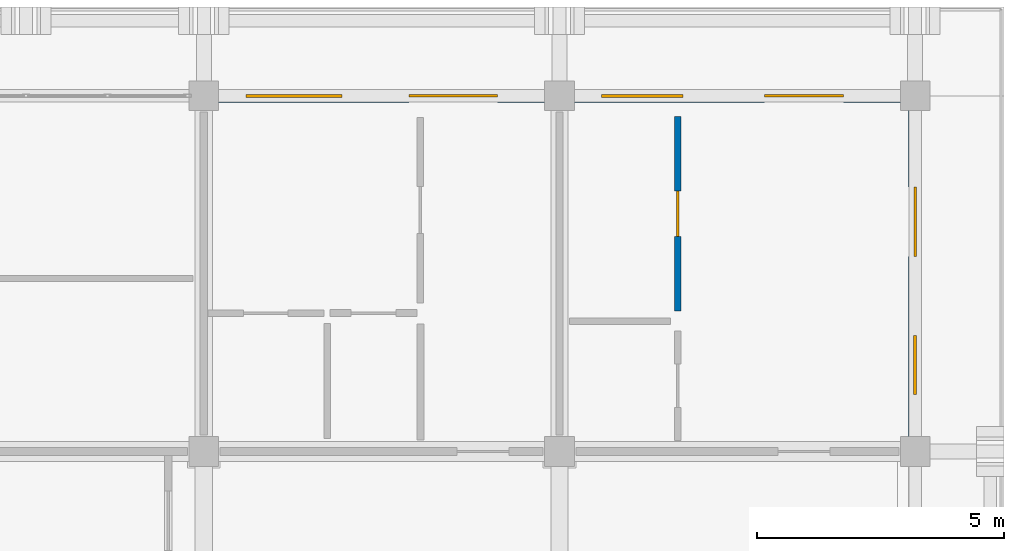
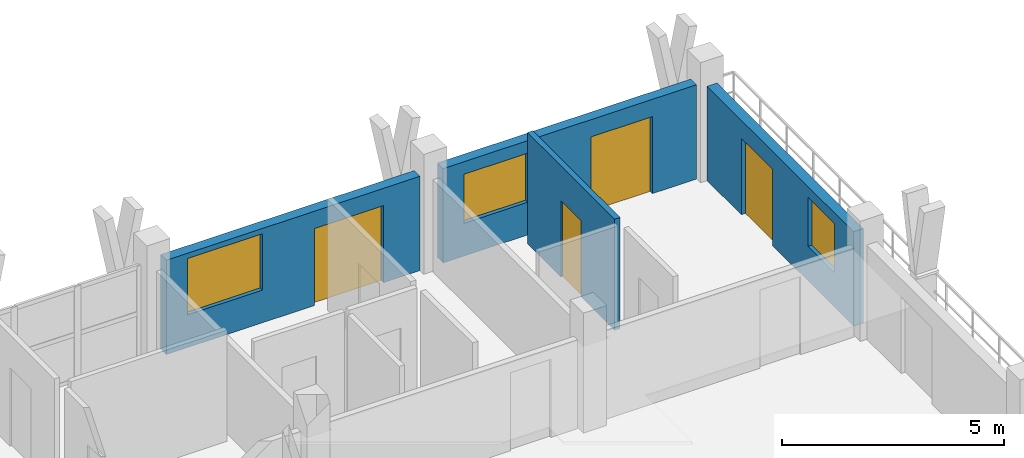
# One storey, part 58 of 75: 4 doors, 4 walls, 3 windows, 7 openings.
"""IFC4 building model written with IfcOpenShell, lengths in metres."""

import ifcopenshell
import ifcopenshell.guid

model = None  # the IFC model being written
_history = None  # IfcOwnerHistory: only IFC2X3 demands one
_inside = {}  # id of a spatial element -> (the spatial element, [elements in it])
_under = {}  # id of a project, library or spatial element -> (it, [spatial elements below it])
_declared = {}  # id of a project -> (the project, [libraries it declares])
_typed = {}  # id of a type object -> (the type object, [elements of that type])
_made_of = {}  # id of a material, layer set ... -> (it, [elements and type objects made of it])


def new_model(schema):
    """Start an empty IFC model of exactly this schema.

    Asked for "IFC4X3", IfcOpenShell would pick the latest addendum, in which some entities
    have other attributes; the version numbers below select the first issue.
    IFC2X3 requires an IfcOwnerHistory on every rooted entity: one is made here for all.
    """
    global model, _history
    if schema == "IFC4X3":
        model = ifcopenshell.file(schema_version=(4, 3, 0, 0))
    else:
        model = ifcopenshell.file(schema=schema)
    _inside.clear()
    _under.clear()
    _declared.clear()
    _typed.clear()
    _made_of.clear()
    _history = None
    if model.schema == "IFC2X3":
        org = make("IfcOrganization", Name="unknown")
        user = make(
            "IfcPersonAndOrganization",
            ThePerson=make("IfcPerson", FamilyName="unknown"),
            TheOrganization=org,
        )
        app = make(
            "IfcApplication",
            ApplicationDeveloper=org,
            Version="unknown",
            ApplicationFullName="unknown",
            ApplicationIdentifier="unknown",
        )
        _history = make(
            "IfcOwnerHistory",
            OwningUser=user,
            OwningApplication=app,
            ChangeAction="ADDED",
            CreationDate=0,
        )
    return model


def make(cls, **values):
    """One entity of the class cls with the attributes given. An attribute that is None is left unset."""
    return model.create_entity(
        cls, **{name: value for name, value in values.items() if value is not None}
    )


def rooted(cls, **values):
    """An entity with a GlobalId (a new one), such as an element, a storey or a relation."""
    return make(cls, GlobalId=ifcopenshell.guid.new(), OwnerHistory=_history, **values)


def si_unit(unit_type, name, prefix=None):
    """IfcSIUnit, for example si_unit("LENGTHUNIT", "METRE", prefix="MILLI")."""
    return make("IfcSIUnit", UnitType=unit_type, Prefix=prefix, Name=name)


def assignment(units):
    """IfcUnitAssignment: the units of a project."""
    return None if units is None else make("IfcUnitAssignment", Units=units)


def point(xyz):
    """IfcCartesianPoint."""
    return None if xyz is None else make("IfcCartesianPoint", Coordinates=xyz)


def direction(xyz):
    """IfcDirection."""
    return None if xyz is None else make("IfcDirection", DirectionRatios=xyz)


def frame(location, z_axis=None, x_axis=None):
    """IfcAxis2Placement3D, a coordinate frame: its origin and axes. An axis left out is left unset."""
    return make(
        "IfcAxis2Placement3D",
        Location=point(location),
        Axis=direction(z_axis),
        RefDirection=direction(x_axis),
    )


def frame_2d(location, x_axis=None):
    """IfcAxis2Placement2D, a coordinate frame in the plane: its origin and x axis."""
    return make(
        "IfcAxis2Placement2D", Location=point(location), RefDirection=direction(x_axis)
    )


def origin():
    """The frame at (0, 0, 0) with its axes left unset."""
    return frame((0.0, 0.0, 0.0))


def place(relative_to, where):
    """IfcLocalPlacement: puts the frame where relative to a parent placement (None: the world)."""
    return make(
        "IfcLocalPlacement", PlacementRelTo=relative_to, RelativePlacement=where
    )


def context(
    kind, dimensions, precision=None, world=None, true_north=None, identifier=None
):
    """IfcGeometricRepresentationContext, for example the 3D "Model" context."""
    return make(
        "IfcGeometricRepresentationContext",
        ContextIdentifier=identifier,
        ContextType=kind,
        CoordinateSpaceDimension=dimensions,
        Precision=precision,
        WorldCoordinateSystem=world,
        TrueNorth=true_north,
    )


def subcontext(parent, identifier, kind, view, scale=None):
    """IfcGeometricRepresentationSubContext, for example "Body" below "Model"."""
    return make(
        "IfcGeometricRepresentationSubContext",
        ContextIdentifier=identifier,
        ContextType=kind,
        ParentContext=parent,
        TargetScale=scale,
        TargetView=view,
    )


def project(units=None, contexts=None):
    """IfcProject with its units and contexts."""
    return rooted(
        "IfcProject",
        Name="project",
        RepresentationContexts=contexts,
        UnitsInContext=assignment(units),
    )


def spatial(cls, under=None, at=None, **own):
    """A site, building, storey or space (cls), placed at a placement, below another one or the project."""
    s = rooted(cls, ObjectPlacement=at, **own)
    if under is not None:
        _under.setdefault(under.id(), (under, []))[1].append(s)
    return s


def profile(cls, at=None, kind="AREA", **sizes):
    """A parametric profile (cls). Its sizes go by their IFC names, for example OverallWidth=200.0."""
    return make(cls, ProfileType=kind, Position=at, **sizes)


def rectangle(**sizes):
    """IfcRectangleProfileDef."""
    return profile("IfcRectangleProfileDef", **sizes)


def extrude(swept, where, along, depth):
    """IfcExtrudedAreaSolid: the profile swept, set in the frame where, extruded along a direction by depth."""
    return make(
        "IfcExtrudedAreaSolid",
        SweptArea=swept,
        Position=where,
        ExtrudedDirection=direction(along),
        Depth=depth,
    )


def shape(context_of_items, identifier, shape_type, items):
    """IfcShapeRepresentation: the items that make up one representation, for example the "Body"."""
    return make(
        "IfcShapeRepresentation",
        ContextOfItems=context_of_items,
        RepresentationIdentifier=identifier,
        RepresentationType=shape_type,
        Items=items,
    )


def material(Name=None, Category=None):
    """IfcMaterial."""
    return make("IfcMaterial", Name=Name, Category=Category)


def layer(
    of_material, thickness, ventilated=None, Name=None, Category=None, Priority=None
):
    """IfcMaterialLayer: one layer of a wall or slab, of a material (None: an air gap)."""
    return make(
        "IfcMaterialLayer",
        Material=of_material,
        LayerThickness=thickness,
        IsVentilated=ventilated,
        Name=Name,
        Category=Category,
        Priority=Priority,
    )


def layer_set(layers, Name=None):
    """IfcMaterialLayerSet."""
    return make("IfcMaterialLayerSet", MaterialLayers=layers, LayerSetName=Name)


def made_of(thing, what):
    """Note that an element or type object is made of a material, layer set ...; save() writes the relation."""
    if what is not None:
        _made_of.setdefault(what.id(), (what, []))[1].append(thing)
    return thing


def type_object(cls, material=None, **own):
    """A type object (cls), such as IfcWallType, which elements share."""
    return made_of(rooted(cls, **own), material)


def element(
    cls,
    number,
    at=None,
    inside=None,
    cuts=None,
    type_object=None,
    material=None,
    context=None,
    identifier="Body",
    shape_type=None,
    held_by="IfcProductDefinitionShape",
    body=None,
    shapes=None,
    **own,
):
    """One element of the class cls, such as IfcWall. Its Tag is "e" and its number.

    at: its placement. inside: the storey or other place that contains it. cuts: it is an
    opening in that element (IfcRelVoidsElement). A single representation is given by context,
    identifier, shape_type and body (its items); several are given by shapes. held_by: the class
    of the entity that holds the representations. save() writes the other relations.
    """
    e = rooted(cls, Tag="e%d" % number, ObjectPlacement=at, **own)
    if body is not None:
        shapes = [shape(context, identifier, shape_type, body)]
    if shapes is not None:
        e.Representation = make(held_by, Representations=shapes)
    if inside is not None:
        _inside.setdefault(inside.id(), (inside, []))[1].append(e)
    if cuts is not None:
        rooted(
            "IfcRelVoidsElement", RelatingBuildingElement=cuts, RelatedOpeningElement=e
        )
    if type_object is not None:
        _typed.setdefault(type_object.id(), (type_object, []))[1].append(e)
    return made_of(e, material)


def fill(opening, filler):
    """IfcRelFillsElement: the door or window that sits in an opening."""
    return rooted(
        "IfcRelFillsElement",
        RelatingOpeningElement=opening,
        RelatedBuildingElement=filler,
    )


def aggregate(whole, parts):
    """IfcRelAggregates: a whole, such as a stair, and the parts it consists of."""
    return rooted("IfcRelAggregates", RelatingObject=whole, RelatedObjects=parts)


def save(model, path):
    """Write the relations noted so far, then the file.

    IfcRelAggregates (storeys below a building ...), IfcRelContainedInSpatialStructure (elements
    in a storey), IfcRelDefinesByType, IfcRelAssociatesMaterial and IfcRelDeclares: one each for
    every whole, place, type object, material and project.
    """
    for whole, parts in _under.values():
        aggregate(whole, parts)
    for where, things in _inside.values():
        rooted(
            "IfcRelContainedInSpatialStructure",
            RelatedElements=things,
            RelatingStructure=where,
        )
    for kind, things in _typed.values():
        rooted("IfcRelDefinesByType", RelatedObjects=things, RelatingType=kind)
    for what, things in _made_of.values():
        rooted("IfcRelAssociatesMaterial", RelatedObjects=things, RelatingMaterial=what)
    for by, libraries in _declared.values():
        rooted("IfcRelDeclares", RelatingContext=by, RelatedDefinitions=libraries)
    model.write(path)


model = new_model("IFC4")

# Units and contexts
model_context = context("Model", 3, precision=1e-05, world=origin(), true_north=direction((0.0, 1.0)))
body_context = subcontext(model_context, "Body", "Model", "MODEL_VIEW")
ifc_project = project(units=[si_unit("LENGTHUNIT", "METRE"), si_unit("AREAUNIT", "SQUARE_METRE"), si_unit("VOLUMEUNIT", "CUBIC_METRE"), si_unit("PLANEANGLEUNIT", "RADIAN"), si_unit("MASSUNIT", "GRAM", prefix="KILO")], contexts=[model_context])

# Site, building, storey
site_placement = place(None, origin())
site = spatial("IfcSite", under=ifc_project, at=site_placement, CompositionType="ELEMENT")
building_placement = place(site_placement, origin())
building = spatial("IfcBuilding", under=site, at=building_placement, Name="Suanplinth Sawtooth Commons", CompositionType="ELEMENT")
storey_placement = place(building_placement, frame((0.0, 0.0, 18.60009765625)))
storey = spatial("IfcBuildingStorey", under=building, at=storey_placement, Name="L05", CompositionType="ELEMENT", Elevation=18.60009765625)

# Wall, openings, door, window
ifc_material_1 = material(Name="Precast concrete C40/50", Category="concrete")
ifc_layer_1 = layer(ifc_material_1, 0.260009765625, Name="Insulated precast courtyard facade wall 260mm")
ifc_layer_set_1 = layer_set([ifc_layer_1], Name="Precast concrete C40/50")
wall_type_1 = type_object("IfcWallType", Name="W-EX02", PredefinedType="ELEMENTEDWALL", material=ifc_layer_set_1)
wall_1_placement = place(storey_placement, frame((173.10009765625, 122.39990234375, 0.0), z_axis=(0.0, 0.0, 1.0), x_axis=(1.0, 0.0, 0.0)))
wall_1 = element("IfcWall", 1, at=wall_1_placement, inside=storey, type_object=wall_type_1, Name="Facade Wall W-L05-B-N-24-16", PredefinedType="ELEMENTEDWALL", context=body_context, shape_type="SweptSolid", body=[
    extrude(rectangle(XDim=6.599853515625, YDim=0.260009765625, at=frame_2d((3.2998046875, 0.0))), origin(), (0.0, 0.0, 1.0), 2.594970703125),
])
opening_1_placement = place(wall_1_placement, frame((3.85009765625, 0.0, 0.0)))
opening_1 = element("IfcOpeningElement", 2, at=opening_1_placement, cuts=wall_1, Name="Opening ED0434", PredefinedType="OPENING", context=body_context, shape_type="SweptSolid", body=[
    extrude(rectangle(XDim=1.800048828125, YDim=2.1201171875, at=frame_2d((0.89990234375, 1.06005859375))), frame((0.0, 0.14501953125, 0.0), z_axis=(0.0, -1.0, 0.0), x_axis=(1.0, 0.0, 0.0)), (0.0, 0.0, 1.0), 0.289794921875),
])
opening_2_placement = place(wall_1_placement, frame((0.550048828125, 0.0, 0.89990234375)))
opening_2 = element("IfcOpeningElement", 3, at=opening_2_placement, cuts=wall_1, Name="Opening W0524", PredefinedType="OPENING", context=body_context, shape_type="SweptSolid", body=[
    extrude(rectangle(XDim=1.949951171875, YDim=1.550048828125, at=frame_2d((0.97509765625, 0.77490234375))), frame((0.0, 0.14501953125, 0.0), z_axis=(0.0, -1.0, 0.0), x_axis=(1.0, 0.0, 0.0)), (0.0, 0.0, 1.0), 0.289794921875),
])
ifc_material_2 = material(Name="Anodized aluminium and low-E glass", Category="aluminium")
door_type_1 = type_object("IfcDoorType", Name="SD-01", OperationType="SLIDING_TO_LEFT", PredefinedType="DOOR", material=ifc_material_2)
door_1_placement = place(opening_1_placement, frame((1.800048828125, 0.0, 0.0), z_axis=(0.0, 0.0, 1.0), x_axis=(-1.0, 0.0, 0.0)))
door_1 = element("IfcDoor", 4, at=door_1_placement, inside=storey, type_object=door_type_1, Name="Balcony Sliding Door L05-B-24", OperationType="SLIDING_TO_LEFT", OverallHeight=2.1201171875, OverallWidth=1.800048828125, PredefinedType="DOOR", context=body_context, shape_type="SweptSolid", body=[
    extrude(rectangle(XDim=1.800048828125, YDim=2.1201171875, at=frame_2d((0.89990234375, 1.06005859375))), frame((0.0, 0.02490234375, 0.0), z_axis=(0.0, -1.0, 0.0), x_axis=(1.0, 0.0, 0.0)), (0.0, 0.0, 1.0), 0.050048828125),
])
fill(opening_1, door_1)
ifc_material_3 = material(Name="Thermally broken aluminium and low-E double glazing", Category="aluminium")
window_type_1 = type_object("IfcWindowType", Name="WN-18", PartitioningType="DOUBLE_PANEL_VERTICAL", PredefinedType="WINDOW", material=ifc_material_3)
window_1_placement = place(opening_2_placement, origin())
window_1 = element("IfcWindow", 5, at=window_1_placement, inside=storey, type_object=window_type_1, Name="Apartment Window L05-B-24", OverallHeight=1.550048828125, OverallWidth=1.949951171875, PartitioningType="DOUBLE_PANEL_VERTICAL", PredefinedType="WINDOW", context=body_context, shape_type="SweptSolid", body=[
    extrude(rectangle(XDim=1.949951171875, YDim=1.550048828125, at=frame_2d((0.97509765625, 0.77490234375))), frame((0.0, 0.030029296875, 0.0), z_axis=(0.0, -1.0, 0.0), x_axis=(1.0, 0.0, 0.0)), (0.0, 0.0, 1.0), 0.06005859375),
])
fill(opening_2, window_1)

wall_2_placement = place(storey_placement, frame((180.300048828125, 122.39990234375, 0.0), z_axis=(0.0, 0.0, 1.0), x_axis=(1.0, 0.0, 0.0)))
wall_2 = element("IfcWall", 6, at=wall_2_placement, inside=storey, type_object=wall_type_1, Name="Facade Wall W-L05-B-N-25-16", PredefinedType="ELEMENTEDWALL", context=body_context, shape_type="SweptSolid", body=[
    extrude(rectangle(XDim=6.599853515625, YDim=0.260009765625, at=frame_2d((3.2998046875, 0.0))), origin(), (0.0, 0.0, 1.0), 2.594970703125),
])
opening_3_placement = place(wall_2_placement, frame((3.85009765625, 0.0, 0.0)))
opening_3 = element("IfcOpeningElement", 7, at=opening_3_placement, cuts=wall_2, Name="Opening ED0441", PredefinedType="OPENING", context=body_context, shape_type="SweptSolid", body=[
    extrude(rectangle(XDim=1.60009765625, YDim=2.1201171875, at=frame_2d((0.800048828125, 1.06005859375))), frame((0.0, 0.14501953125, 0.0), z_axis=(0.0, -1.0, 0.0), x_axis=(1.0, 0.0, 0.0)), (0.0, 0.0, 1.0), 0.289794921875),
])
opening_4_placement = place(wall_2_placement, frame((0.550048828125, 0.0, 0.89990234375)))
opening_4 = element("IfcOpeningElement", 8, at=opening_4_placement, cuts=wall_2, Name="Opening W0529", PredefinedType="OPENING", context=body_context, shape_type="SweptSolid", body=[
    extrude(rectangle(XDim=1.64990234375, YDim=1.35009765625, at=frame_2d((0.824951171875, 0.675048828125))), frame((0.0, 0.14501953125, 0.0), z_axis=(0.0, -1.0, 0.0), x_axis=(1.0, 0.0, 0.0)), (0.0, 0.0, 1.0), 0.289794921875),
])
door_type_2 = type_object("IfcDoorType", Name="SD-02", OperationType="SLIDING_TO_RIGHT", PredefinedType="DOOR", material=ifc_material_2)
door_2_placement = place(opening_3_placement, frame((1.60009765625, 0.0, 0.0), z_axis=(0.0, 0.0, 1.0), x_axis=(-1.0, 0.0, 0.0)))
door_2 = element("IfcDoor", 9, at=door_2_placement, inside=storey, type_object=door_type_2, Name="Balcony Sliding Door L05-B-25", OperationType="SLIDING_TO_RIGHT", OverallHeight=2.1201171875, OverallWidth=1.60009765625, PredefinedType="DOOR", context=body_context, shape_type="SweptSolid", body=[
    extrude(rectangle(XDim=1.60009765625, YDim=2.1201171875, at=frame_2d((0.800048828125, 1.06005859375))), frame((0.0, 0.02490234375, 0.0), z_axis=(0.0, -1.0, 0.0), x_axis=(1.0, 0.0, 0.0)), (0.0, 0.0, 1.0), 0.050048828125),
])
fill(opening_3, door_2)
window_type_2 = type_object("IfcWindowType", Name="WN-19", PartitioningType="DOUBLE_PANEL_VERTICAL", PredefinedType="WINDOW", material=ifc_material_3)
window_2_placement = place(opening_4_placement, origin())
window_2 = element("IfcWindow", 10, at=window_2_placement, inside=storey, type_object=window_type_2, Name="Apartment Window L05-B-25", OverallHeight=1.35009765625, OverallWidth=1.64990234375, PartitioningType="DOUBLE_PANEL_VERTICAL", PredefinedType="WINDOW", context=body_context, shape_type="SweptSolid", body=[
    extrude(rectangle(XDim=1.64990234375, YDim=1.35009765625, at=frame_2d((0.824951171875, 0.675048828125))), frame((0.0, 0.030029296875, 0.0), z_axis=(0.0, -1.0, 0.0), x_axis=(1.0, 0.0, 0.0)), (0.0, 0.0, 1.0), 0.06005859375),
])
fill(opening_4, window_2)

wall_3_placement = place(storey_placement, frame((187.199951171875, 115.5, 0.0), z_axis=(0.0, 0.0, 1.0), x_axis=(0.0, 1.0, 0.0)))
wall_3 = element("IfcWall", 11, at=wall_3_placement, inside=storey, type_object=wall_type_1, Name="Facade Wall W-L05-B-E-25-16", PredefinedType="ELEMENTEDWALL", context=body_context, shape_type="SweptSolid", body=[
    extrude(rectangle(XDim=6.60009765625, YDim=0.260009765625, at=frame_2d((3.300048828125, 0.0))), origin(), (0.0, 0.0, 1.0), 2.594970703125),
])
opening_5_placement = place(wall_3_placement, frame((3.64990234375, 0.0, 0.0)))
opening_5 = element("IfcOpeningElement", 12, at=opening_5_placement, cuts=wall_3, Name="Opening ED0442", PredefinedType="OPENING", context=body_context, shape_type="SweptSolid", body=[
    extrude(rectangle(XDim=1.39990234375, YDim=2.10009765625, at=frame_2d((0.699951171875, 1.050048828125))), frame((0.0, 0.14501953125, 0.0), z_axis=(0.0, -1.0, 0.0), x_axis=(1.0, 0.0, 0.0)), (0.0, 0.0, 1.0), 0.289794921875),
])
opening_6_placement = place(wall_3_placement, frame((0.85009765625, 0.0, 0.949951171875)))
opening_6 = element("IfcOpeningElement", 13, at=opening_6_placement, cuts=wall_3, Name="Opening W0530", PredefinedType="OPENING", context=body_context, shape_type="SweptSolid", body=[
    extrude(rectangle(XDim=1.199951171875, YDim=1.35009765625, at=frame_2d((0.60009765625, 0.675048828125))), frame((0.0, 0.14501953125, 0.0), z_axis=(0.0, -1.0, 0.0), x_axis=(1.0, 0.0, 0.0)), (0.0, 0.0, 1.0), 0.289794921875),
])
door_type_3 = type_object("IfcDoorType", Name="SD-07", OperationType="SLIDING_TO_RIGHT", PredefinedType="DOOR", material=ifc_material_2)
door_3_placement = place(opening_5_placement, frame((1.39990234375, 0.0, 0.0), z_axis=(0.0, 0.0, 1.0), x_axis=(-1.0, 0.0, 0.0)))
door_3 = element("IfcDoor", 14, at=door_3_placement, inside=storey, type_object=door_type_3, Name="End Balcony Sliding Door L05-B-E-25-16", OperationType="SLIDING_TO_RIGHT", OverallHeight=2.10009765625, OverallWidth=1.39990234375, PredefinedType="DOOR", context=body_context, shape_type="SweptSolid", body=[
    extrude(rectangle(XDim=1.39990234375, YDim=2.10009765625, at=frame_2d((0.699951171875, 1.050048828125))), frame((0.0, 0.02490234375, 0.0), z_axis=(0.0, -1.0, 0.0), x_axis=(1.0, 0.0, 0.0)), (0.0, 0.0, 1.0), 0.050048828125),
])
fill(opening_5, door_3)
window_type_3 = type_object("IfcWindowType", Name="WN-03", PartitioningType="SINGLE_PANEL", PredefinedType="WINDOW", material=ifc_material_3)
window_3_placement = place(opening_6_placement, origin())
window_3 = element("IfcWindow", 15, at=window_3_placement, inside=storey, type_object=window_type_3, Name="End Bedroom Window L05-B-25-16", OverallHeight=1.35009765625, OverallWidth=1.199951171875, PartitioningType="SINGLE_PANEL", PredefinedType="WINDOW", context=body_context, shape_type="SweptSolid", body=[
    extrude(rectangle(XDim=1.199951171875, YDim=1.35009765625, at=frame_2d((0.60009765625, 0.675048828125))), frame((0.0, 0.030029296875, 0.0), z_axis=(0.0, -1.0, 0.0), x_axis=(1.0, 0.0, 0.0)), (0.0, 0.0, 1.0), 0.06005859375),
])
fill(opening_6, window_3)

# Wall, opening, door
ifc_material_4 = material(Name="Gypsum plasterboard on steel stud", Category="steel")
ifc_layer_2 = layer(ifc_material_4, 0.139892578125, Name="Fire-rated kitchen partition 140mm")
ifc_layer_set_2 = layer_set([ifc_layer_2], Name="Gypsum plasterboard on steel stud")
wall_type_2 = type_object("IfcWallType", Name="W-PT01", PredefinedType="PARTITIONING", material=ifc_layer_set_2)
wall_4_placement = place(storey_placement, frame((182.39501953125, 118.0400390625, 0.0), z_axis=(0.0, 0.0, 1.0), x_axis=(0.0, 1.0, 0.0)))
wall_4 = element("IfcWall", 16, at=wall_4_placement, inside=storey, type_object=wall_type_2, Name="W-B-L05-U07-KITE", PredefinedType="PARTITIONING", context=body_context, shape_type="SweptSolid", body=[
    extrude(rectangle(XDim=3.93994140625, YDim=0.139892578125, at=frame_2d((1.969970703125, 0.0))), origin(), (0.0, 0.0, 1.0), 3.059814453125),
])
opening_7_placement = place(wall_4_placement, frame((1.510009765625, 0.0, 0.0)))
opening_7 = element("IfcOpeningElement", 17, at=opening_7_placement, cuts=wall_4, Name="Opening D1275", PredefinedType="OPENING", context=body_context, shape_type="SweptSolid", body=[
    extrude(rectangle(XDim=0.919921875, YDim=2.10009765625, at=frame_2d((0.4599609375, 1.050048828125))), frame((0.0, 0.0849609375, 0.0), z_axis=(0.0, -1.0, 0.0), x_axis=(1.0, 0.0, 0.0)), (0.0, 0.0, 1.0), 0.169677734375),
])
ifc_material_5 = material(Name="Teak hardwood", Category="wood")
door_type_4 = type_object("IfcDoorType", Name="D-02", OperationType="NOTDEFINED", PredefinedType="DOOR", material=ifc_material_5)
door_4_placement = place(opening_7_placement, origin())
door_4 = element("IfcDoor", 18, at=door_4_placement, inside=storey, type_object=door_type_4, Name="Kitchen Door D1275", OperationType="SINGLE_SWING_LEFT", OverallHeight=2.10009765625, OverallWidth=0.919921875, PredefinedType="DOOR", context=body_context, shape_type="SweptSolid", body=[
    extrude(rectangle(XDim=0.919921875, YDim=2.10009765625, at=frame_2d((0.4599609375, 1.050048828125))), frame((0.0, 0.02490234375, 0.0), z_axis=(0.0, -1.0, 0.0), x_axis=(1.0, 0.0, 0.0)), (0.0, 0.0, 1.0), 0.050048828125),
])
fill(opening_7, door_4)

save(model, "model.ifc")
